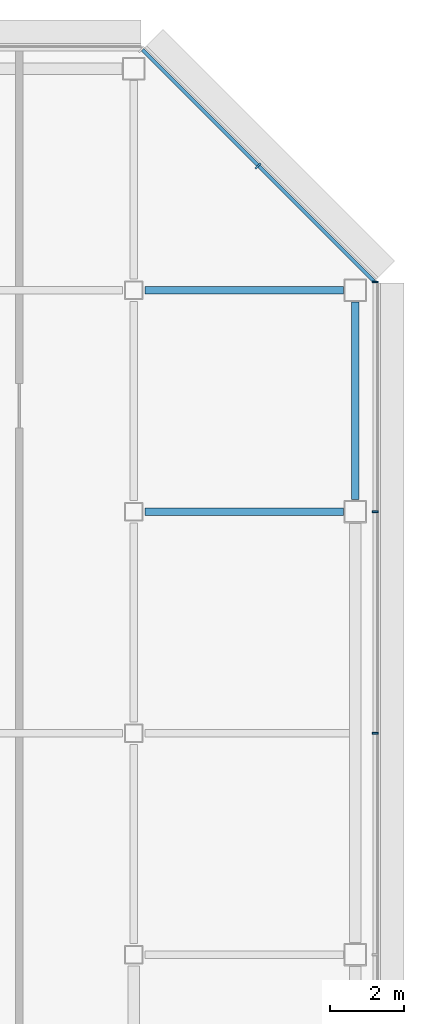
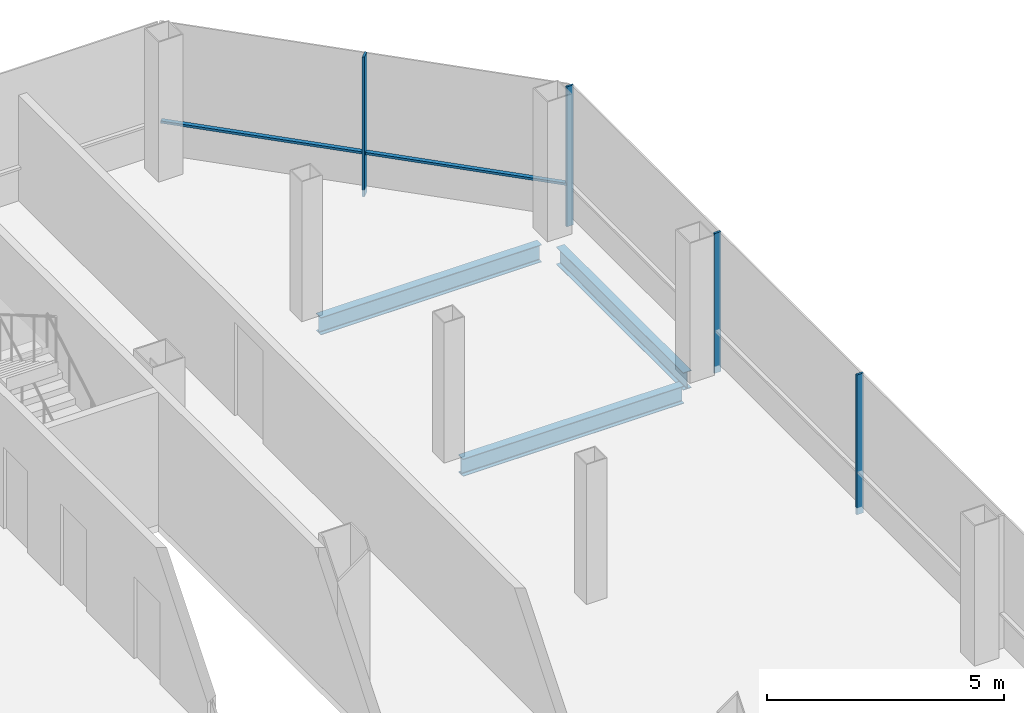
# One storey, part 19 of 27: 5 members, 3 beams, 2 elements without a shape of their own.
"""IFC4 building model written with IfcOpenShell, lengths in metres."""

from ifc_helpers import new_model, si_unit, direction, frame, origin, origin_2d, place, context, subcontext, project, spatial, rectangle, i_section, extrude, material, material_profile, profile_set, type_object, element, aggregate, save


model = new_model("IFC4")

# Units and contexts
model_context = context("Model", 3, precision=1e-05, world=origin(), true_north=direction((0.0, 1.0)))
body_context = subcontext(model_context, "Body", "Model", "MODEL_VIEW")
ifc_project = project(units=[si_unit("LENGTHUNIT", "METRE"), si_unit("AREAUNIT", "SQUARE_METRE"), si_unit("VOLUMEUNIT", "CUBIC_METRE"), si_unit("PLANEANGLEUNIT", "RADIAN"), si_unit("MASSUNIT", "GRAM", prefix="KILO")], contexts=[model_context])

# Site, building, storey
site_placement = place(None, origin())
site = spatial("IfcSite", under=ifc_project, at=site_placement, CompositionType="ELEMENT")
building_placement = place(site_placement, origin())
building = spatial("IfcBuilding", under=site, at=building_placement, Name="Sorahane Residences", CompositionType="ELEMENT")
storey_placement = place(building_placement, frame((0.0, 0.0, 246.800048828125)))
storey = spatial("IfcBuildingStorey", under=building, at=storey_placement, Name="L58", CompositionType="ELEMENT", Elevation=246.800048828125)

# Curtain wall, members
ifc_material_1 = material(Name="Dark low-e glass and black anodised aluminium", Category="aluminium")
curtain_wall_type_1 = type_object("IfcCurtainWallType", Name="Curtain wall CW-1 Typical unitised wall", PredefinedType="NOTDEFINED", material=ifc_material_1)
curtain_wall_1_placement = place(storey_placement, origin())
curtain_wall_1 = element("IfcCurtainWall", 1, at=curtain_wall_1_placement, inside=storey, type_object=curtain_wall_type_1, Name="CW-1 curtain wall L58 E1", PredefinedType="NOTDEFINED")
ifc_material_2 = material(Name="Black anodised aluminium", Category="aluminium")
ifc_material_profile_1 = material_profile(ifc_material_2, rectangle(XDim=0.159912109375, YDim=0.050048828125, at=origin_2d()), Name="Curtain wall mullion CW-1 black anodised aluminium 50x160")
ifc_profile_set_1 = profile_set([ifc_material_profile_1], Name="Black anodised aluminium")
member_type_1 = type_object("IfcMemberType", Name="Curtain wall mullion CW-1 black anodised aluminium 50x160", PredefinedType="MULLION", material=ifc_profile_set_1)
member_1_placement = place(storey_placement, frame((54.5400390625, 30.0, -0.179931640625), z_axis=(0.0, 0.0, 1.0), x_axis=(1.0, 0.0, 0.0)))
member_1 = element("IfcMember", 2, at=member_1_placement, type_object=member_type_1, Name="CW-1 mullion L58 E1.5", PredefinedType="MULLION", context=body_context, shape_type="SweptSolid", body=[
    extrude(rectangle(XDim=0.159912109375, YDim=0.050048828125, at=origin_2d()), origin(), (0.0, 0.0, 1.0), 3.599853515625),
])
member_2_placement = place(storey_placement, frame((54.5400390625, 36.0, -0.179931640625), z_axis=(0.0, 0.0, 1.0), x_axis=(1.0, 0.0, 0.0)))
member_2 = element("IfcMember", 3, at=member_2_placement, type_object=member_type_1, Name="CW-1 mullion L58 E1.6", PredefinedType="MULLION", context=body_context, shape_type="SweptSolid", body=[
    extrude(rectangle(XDim=0.159912109375, YDim=0.050048828125, at=origin_2d()), origin(), (0.0, 0.0, 1.0), 3.599853515625),
])
member_3_placement = place(storey_placement, frame((54.5400390625, 42.2236328125, -0.179931640625), z_axis=(0.0, 0.0, 1.0), x_axis=(1.0, 0.0, 0.0)))
member_3 = element("IfcMember", 4, at=member_3_placement, type_object=member_type_1, Name="CW-1 mullion L58 E1.7", PredefinedType="MULLION", context=body_context, shape_type="SweptSolid", body=[
    extrude(rectangle(XDim=0.159912109375, YDim=0.050048828125, at=origin_2d()), origin(), (0.0, 0.0, 1.0), 3.599853515625),
])
aggregate(curtain_wall_1, [member_1, member_2, member_3])

ifc_material_3 = material(Name="Dark low-e glass and black anodised aluminium", Category="aluminium")
curtain_wall_type_2 = type_object("IfcCurtainWallType", Name="Curtain wall CW-2 Chamfer unitised wall", PredefinedType="NOTDEFINED", material=ifc_material_3)
curtain_wall_2_placement = place(storey_placement, origin())
curtain_wall_2 = element("IfcCurtainWall", 5, at=curtain_wall_2_placement, inside=storey, type_object=curtain_wall_type_2, Name="CW-2 curtain wall L58 NE1", PredefinedType="NOTDEFINED")
ifc_material_4 = material(Name="Black anodised aluminium", Category="aluminium")
ifc_material_profile_2 = material_profile(ifc_material_4, rectangle(XDim=0.199951171875, YDim=0.050048828125, at=origin_2d()), Name="Curtain wall mullion CW-2 black anodised aluminium 50x200")
ifc_profile_set_2 = profile_set([ifc_material_profile_2], Name="Black anodised aluminium")
member_type_2 = type_object("IfcMemberType", Name="Curtain wall mullion CW-2 black anodised aluminium 50x200", PredefinedType="MULLION", material=ifc_profile_set_2)
member_4_placement = place(storey_placement, frame((51.36767578125, 45.36767578125, -0.179931640625), z_axis=(0.0, 0.0, 1.0), x_axis=(0.707106781187, 0.707106781187, 0.0)))
member_4 = element("IfcMember", 6, at=member_4_placement, type_object=member_type_2, Name="CW-2 mullion L58 NE1.2", PredefinedType="MULLION", context=body_context, shape_type="SweptSolid", body=[
    extrude(rectangle(XDim=0.199951171875, YDim=0.050048828125, at=origin_2d()), origin(), (0.0, 0.0, 1.0), 3.599853515625),
])
ifc_material_5 = material(Name="Black anodised aluminium", Category="aluminium")
ifc_material_profile_3 = material_profile(ifc_material_5, rectangle(XDim=0.10009765625, YDim=0.06005859375, at=origin_2d()), Name="Curtain wall transom CW-2 black anodised aluminium 60x100")
ifc_profile_set_3 = profile_set([ifc_material_profile_3], Name="Black anodised aluminium")
member_type_3 = type_object("IfcMemberType", Name="Curtain wall transom CW-2 black anodised aluminium 60x100", PredefinedType="USERDEFINED", material=ifc_profile_set_3)
member_5_placement = place(storey_placement, frame((54.51513671875, 42.234375, 0.89990234375), z_axis=(-0.707106781187, 0.707106781187, 0.0), x_axis=(-0.707106781187, -0.707106781187, 0.0)))
member_5 = element("IfcMember", 7, at=member_5_placement, type_object=member_type_3, Name="CW-2 transom L58 NE1", ObjectType="TRANSOM", PredefinedType="USERDEFINED", context=body_context, shape_type="SweptSolid", body=[
    extrude(rectangle(XDim=0.10009765625, YDim=0.06005859375, at=origin_2d()), origin(), (0.0, 0.0, 1.0), 8.88232421875),
])
aggregate(curtain_wall_2, [member_4, member_5])

# Beams
ifc_material_6 = material(Name="Steel Q355B", Category="steel")
ifc_material_profile_4 = material_profile(ifc_material_6, i_section(OverallWidth=0.199951171875, OverallDepth=0.449951171875, WebThickness=0.009033203125, FlangeThickness=0.013916015625, FilletRadius=0.02001953125, at=origin_2d()), Name="HN 450x200x9x14")
ifc_profile_set_4 = profile_set([ifc_material_profile_4], Name="Steel Q355B")
beam_type = type_object("IfcBeamType", Name="Steel floor beam HN 450x200x9x14 Q355B", PredefinedType="BEAM", material=ifc_profile_set_4)
beam_1_placement = place(storey_placement, frame((48.300048828125, 36.0, -0.405029296875), z_axis=(1.0, 0.0, 0.0), x_axis=(0.0, 1.0, 0.0)))
element("IfcBeam", 8, at=beam_1_placement, inside=storey, type_object=beam_type, Name="Beam L58 014", PredefinedType="BEAM", context=body_context, shape_type="SweptSolid", body=[
    extrude(i_section(OverallWidth=0.199951171875, OverallDepth=0.449951171875, WebThickness=0.009033203125, FlangeThickness=0.013916015625, FilletRadius=0.02001953125, at=origin_2d()), origin(), (0.0, 0.0, 1.0), 5.375),
])
beam_2_placement = place(storey_placement, frame((54.0, 36.324951171875, -0.405029296875), z_axis=(0.0, 1.0, 0.0), x_axis=(-1.0, 0.0, 0.0)))
element("IfcBeam", 9, at=beam_2_placement, inside=storey, type_object=beam_type, Name="Beam L58 067", PredefinedType="BEAM", context=body_context, shape_type="SweptSolid", body=[
    extrude(i_section(OverallWidth=0.199951171875, OverallDepth=0.449951171875, WebThickness=0.009033203125, FlangeThickness=0.013916015625, FilletRadius=0.02001953125, at=origin_2d()), origin(), (0.0, 0.0, 1.0), 5.35009765625),
])
beam_3_placement = place(storey_placement, frame((48.300048828125, 42.0, -0.405029296875), z_axis=(1.0, 0.0, 0.0), x_axis=(0.0, 1.0, 0.0)))
element("IfcBeam", 10, at=beam_3_placement, inside=storey, type_object=beam_type, Name="Beam L58 092", PredefinedType="BEAM", context=body_context, shape_type="SweptSolid", body=[
    extrude(i_section(OverallWidth=0.199951171875, OverallDepth=0.449951171875, WebThickness=0.009033203125, FlangeThickness=0.013916015625, FilletRadius=0.02001953125, at=origin_2d()), origin(), (0.0, 0.0, 1.0), 5.375),
])

save(model, "model.ifc")
